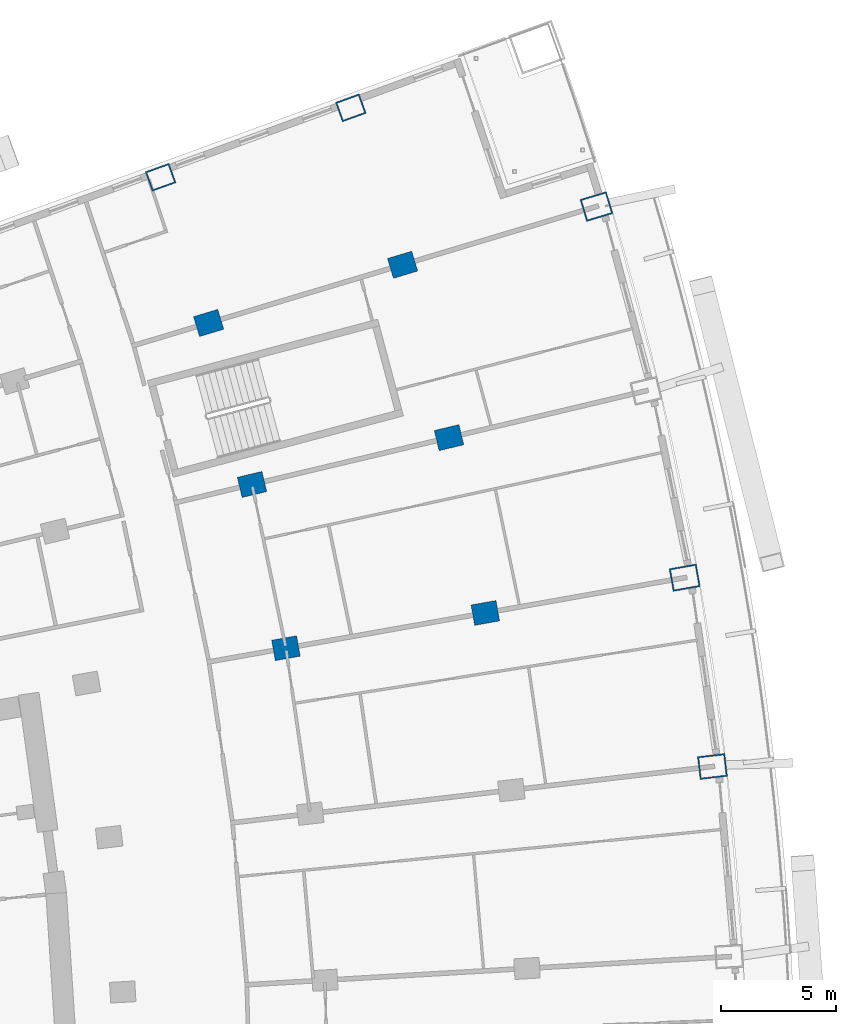
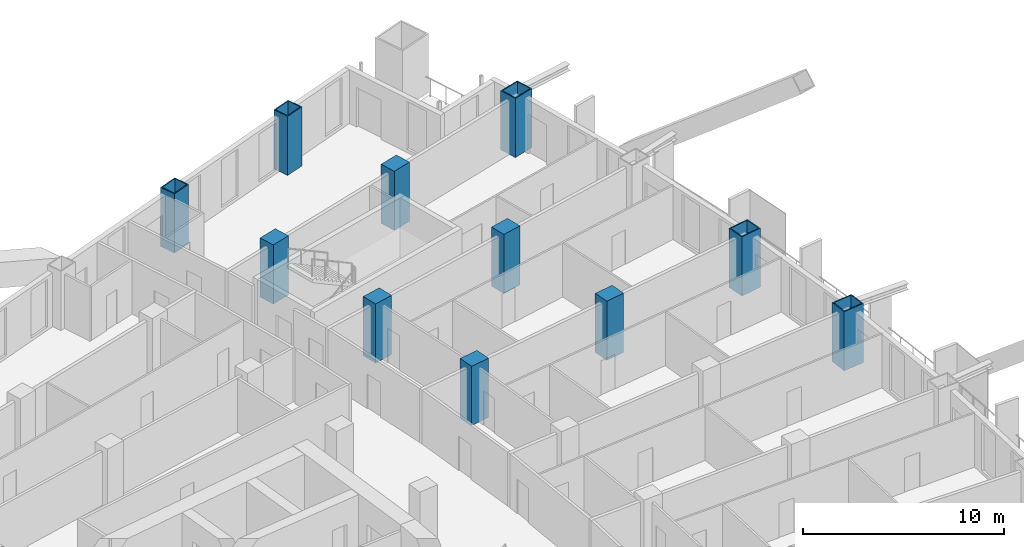
# One storey, part 10 of 25: 11 columns.
"""IFC4 building model written with IfcOpenShell, lengths in metres."""

from ifc_helpers import new_model, si_unit, direction, frame, origin, origin_2d, place, context, subcontext, project, spatial, rectangle, hollow_rectangle, extrude, material, material_profile, profile_set, type_object, element, save


model = new_model("IFC4")

# Units and contexts
model_context = context("Model", 3, precision=1e-05, world=origin(), true_north=direction((0.0, 1.0)))
body_context = subcontext(model_context, "Body", "Model", "MODEL_VIEW")
ifc_project = project(units=[si_unit("LENGTHUNIT", "METRE"), si_unit("AREAUNIT", "SQUARE_METRE"), si_unit("VOLUMEUNIT", "CUBIC_METRE"), si_unit("PLANEANGLEUNIT", "RADIAN"), si_unit("MASSUNIT", "GRAM", prefix="KILO")], contexts=[model_context])

# Site, building, storey
site_placement = place(None, origin())
site = spatial("IfcSite", under=ifc_project, at=site_placement, CompositionType="ELEMENT")
building_placement = place(site_placement, origin())
building = spatial("IfcBuilding", under=site, at=building_placement, Name="Alderwake Tower", CompositionType="ELEMENT")
storey_placement = place(building_placement, frame((0.0, 0.0, 64.39990234375)))
storey = spatial("IfcBuildingStorey", under=building, at=storey_placement, Name="L15", CompositionType="ELEMENT", Elevation=64.39990234375)

# Columns
ifc_material_1 = material(Name="Steel ASTM A572 Grade 50 concrete filled C70/85", Category="concrete")
ifc_material_profile_1 = material_profile(ifc_material_1, hollow_rectangle(XDim=0.89990234375, YDim=1.10009765625, WallThickness=0.06005859375, at=origin_2d()), Name="BOX 1100X900X60")
ifc_profile_set_1 = profile_set([ifc_material_profile_1], Name="Steel ASTM A572 Grade 50 concrete filled C70/85")
column_type_1 = type_object("IfcColumnType", Name="End column Z1", PredefinedType="COLUMN", material=ifc_profile_set_1)
for number, where, z_axis, x_axis, name in (
    (1, (37.250244140625, 103.160888671875, 0.0), (0.0, 0.0, 1.0), (-0.3383700535, 0.941013127907, 0.0), "Column R13-C3"),
    (2, (45.516845703125, 106.178466796875, 0.0), (0.0, 0.0, 1.0), (-0.338668949173, 0.940905597213, 0.0), "Column R13-C4"),
):
    element("IfcColumn", number, at=place(storey_placement, frame(where, z_axis=z_axis, x_axis=x_axis)), inside=storey, type_object=column_type_1, Name=name, PredefinedType="COLUMN", context=body_context, shape_type="SweptSolid", body=[
        extrude(hollow_rectangle(XDim=0.89990234375, YDim=1.10009765625, WallThickness=0.06005859375, at=origin_2d()), origin(), (0.0, 0.0, 1.0), 3.60009765625),
    ])
ifc_material_2 = material(Name="Concrete C70/85", Category="concrete")
ifc_material_profile_2 = material_profile(ifc_material_2, rectangle(XDim=0.89990234375, YDim=1.10009765625, at=origin_2d()), Name="RC 1100X900")
ifc_profile_set_2 = profile_set([ifc_material_profile_2], Name="Concrete C70/85")
column_type_2 = type_object("IfcColumnType", Name="Interior column Z1", PredefinedType="COLUMN", material=ifc_profile_set_2)
for number, where, z_axis, x_axis, name in (
    (3, (42.697021484375, 82.69384765625, 0.0), (0.0, 0.0, 1.0), (-0.174108800747, 0.984726421654, 0.0), "Column R10-C3"),
    (4, (51.362548828125, 84.22607421875, 0.0), (0.0, 0.0, 1.0), (-0.174108800747, 0.984726421654, 0.0), "Column R10-C4"),
    (5, (41.223388671875, 89.810302734375, 0.0), (0.0, 0.0, 1.0), (-0.231221547198, 0.972901123502, 0.0), "Column R11-C3"),
    (6, (49.784912109375, 91.844970703125, 0.0), (0.0, 0.0, 1.0), (-0.231221547198, 0.972901123502, 0.0), "Column R11-C4"),
    (7, (39.337646484375, 96.82861328125, 0.0), (0.0, 0.0, 1.0), (-0.287549418125, 0.957765802342, 0.0), "Column R12-C3"),
    (8, (47.76611328125, 99.35888671875, 0.0), (0.0, 0.0, 1.0), (-0.287549418125, 0.957765802342, 0.0), "Column R12-C4"),
):
    element("IfcColumn", number, at=place(storey_placement, frame(where, z_axis=z_axis, x_axis=x_axis)), inside=storey, type_object=column_type_2, Name=name, PredefinedType="COLUMN", context=body_context, shape_type="SweptSolid", body=[
        extrude(rectangle(XDim=0.89990234375, YDim=1.10009765625, at=origin_2d()), origin(), (0.0, 0.0, 1.0), 3.60009765625),
    ])
ifc_material_3 = material(Name="Steel ASTM A572 Grade 50 concrete filled C70/85", Category="concrete")
ifc_material_profile_3 = material_profile(ifc_material_3, hollow_rectangle(XDim=1.0, YDim=1.199951171875, WallThickness=0.06005859375, at=origin_2d()), Name="BOX 1200X1000X60")
ifc_profile_set_3 = profile_set([ifc_material_profile_3], Name="Steel ASTM A572 Grade 50 concrete filled C70/85")
column_type_3 = type_object("IfcColumnType", Name="Perimeter column Z1", PredefinedType="COLUMN", material=ifc_profile_set_3)
for number, where, z_axis, x_axis, name in (
    (9, (61.2333984375, 77.552490234375, 0.0), (0.0, 0.0, 1.0), (-0.116402054316, 0.993202175668, 0.0), "Column R09-C5"),
    (10, (60.028076171875, 85.75830078125, 0.0), (0.0, 0.0, 1.0), (-0.174108800747, 0.984726421654, 0.0), "Column R10-C5"),
    (11, (56.1943359375, 101.889404296875, 0.0), (0.0, 0.0, 1.0), (-0.287549418125, 0.957765802342, 0.0), "Column R12-C5"),
):
    element("IfcColumn", number, at=place(storey_placement, frame(where, z_axis=z_axis, x_axis=x_axis)), inside=storey, type_object=column_type_3, Name=name, PredefinedType="COLUMN", context=body_context, shape_type="SweptSolid", body=[
        extrude(hollow_rectangle(XDim=1.0, YDim=1.199951171875, WallThickness=0.06005859375, at=origin_2d()), origin(), (0.0, 0.0, 1.0), 3.60009765625),
    ])

save(model, "model.ifc")
